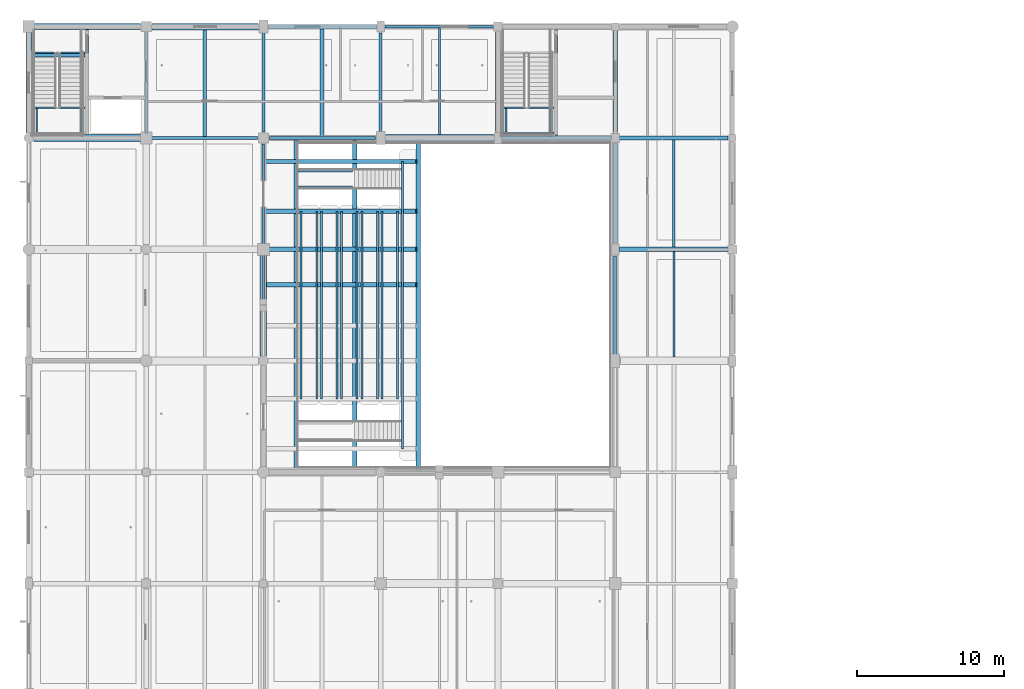
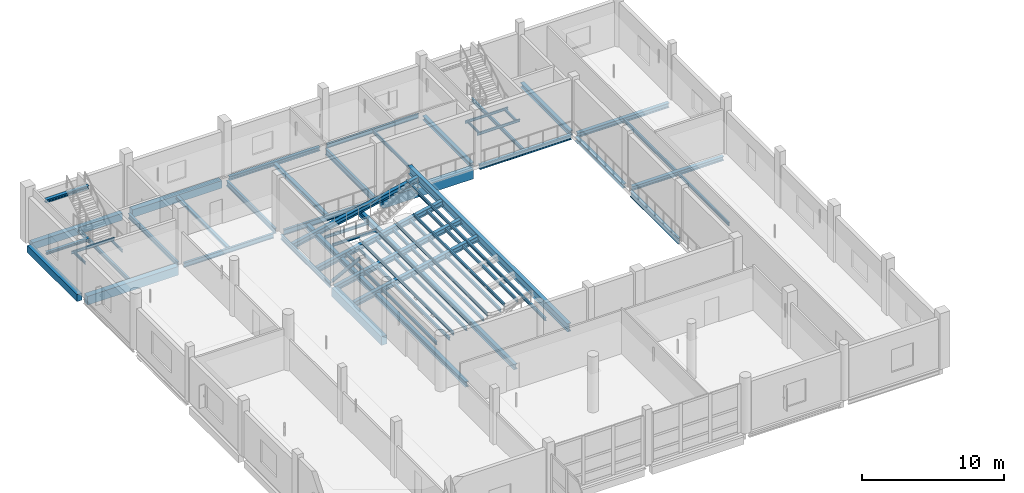
# One storey, part 36 of 147: 57 beams, 1 member.
"""IFC4 building model written with IfcOpenShell, lengths in metres."""

from ifc_helpers import new_model, si_unit, direction, frame, origin, origin_2d, place, context, subcontext, project, spatial, rectangle, hollow_rectangle, i_section, extrude, material, material_profile, profile_set, type_object, element, save


model = new_model("IFC4")

# Units and contexts
model_context = context("Model", 3, precision=1e-05, world=origin(), true_north=direction((0.0, 1.0)))
body_context = subcontext(model_context, "Body", "Model", "MODEL_VIEW")
ifc_project = project(units=[si_unit("LENGTHUNIT", "METRE"), si_unit("AREAUNIT", "SQUARE_METRE"), si_unit("VOLUMEUNIT", "CUBIC_METRE"), si_unit("PLANEANGLEUNIT", "RADIAN"), si_unit("MASSUNIT", "GRAM", prefix="KILO")], contexts=[model_context])

# Site, building, storey
site_placement = place(None, origin())
site = spatial("IfcSite", under=ifc_project, at=site_placement, CompositionType="ELEMENT")
building_placement = place(site_placement, origin())
building = spatial("IfcBuilding", under=site, at=building_placement, Name="Khelvaren Railside Concert Hall", CompositionType="ELEMENT")
storey_placement = place(building_placement, frame((0.0, 0.0, 5.39990234375)))
storey = spatial("IfcBuildingStorey", under=building, at=storey_placement, Name="L01", CompositionType="ELEMENT", Elevation=5.39990234375)

# Beams
ifc_material_1 = material(Name="Steel S355", Category="steel")
ifc_material_profile_1 = material_profile(ifc_material_1, i_section(OverallWidth=0.300048828125, OverallDepth=0.389892578125, WebThickness=0.010986328125, FlangeThickness=0.01904296875, FilletRadius=0.027099609375, at=origin_2d()), Name="HEA 400")
ifc_profile_set_1 = profile_set([ifc_material_profile_1], Name="Steel S355")
beam_type_1 = type_object("IfcBeamType", Name="BM23", PredefinedType="BEAM", material=ifc_profile_set_1)
beam_1_placement = place(storey_placement, frame((40.25, 106.39990234375, -0.494873046875), z_axis=(1.0, 0.0, 0.0), x_axis=(0.0, 1.0, 0.0)))
element("IfcBeam", 1, at=beam_1_placement, inside=storey, type_object=beam_type_1, Name="V4 L01 Beam X6.6", PredefinedType="BEAM", context=body_context, shape_type="SweptSolid", body=[
    extrude(i_section(OverallWidth=0.300048828125, OverallDepth=0.389892578125, WebThickness=0.010986328125, FlangeThickness=0.01904296875, FilletRadius=0.027099609375, at=origin_2d()), origin(), (0.0, 0.0, 1.0), 7.449951171875),
])
beam_2_placement = place(storey_placement, frame((40.0, 106.77490234375, -0.494873046875), z_axis=(0.0, 1.0, 0.0), x_axis=(-1.0, 0.0, 0.0)))
element("IfcBeam", 2, at=beam_2_placement, inside=storey, type_object=beam_type_1, Name="V4 L01 Beam Y6.6", PredefinedType="BEAM", context=body_context, shape_type="SweptSolid", body=[
    extrude(i_section(OverallWidth=0.300048828125, OverallDepth=0.389892578125, WebThickness=0.010986328125, FlangeThickness=0.01904296875, FilletRadius=0.027099609375, at=origin_2d()), origin(), (0.0, 0.0, 1.0), 6.925048828125),
])
ifc_material_profile_2 = material_profile(ifc_material_1, i_section(OverallWidth=0.179931640625, OverallDepth=0.39990234375, WebThickness=0.008544921875, FlangeThickness=0.013427734375, FilletRadius=0.02099609375, at=origin_2d()), Name="IPE 400")
ifc_profile_set_2 = profile_set([ifc_material_profile_2], Name="Steel S355")
beam_type_2 = type_object("IfcBeamType", Name="BM29", PredefinedType="BEAM", material=ifc_profile_set_2)
beam_3_placement = place(storey_placement, frame((8.27294921875, 106.39990234375, -0.5), z_axis=(1.0, 0.0, 0.0), x_axis=(0.0, 1.0, 0.0)))
element("IfcBeam", 3, at=beam_3_placement, inside=storey, type_object=beam_type_2, Name="V4 L01 Beam X6.2", PredefinedType="BEAM", context=body_context, shape_type="SweptSolid", body=[
    extrude(i_section(OverallWidth=0.179931640625, OverallDepth=0.39990234375, WebThickness=0.008544921875, FlangeThickness=0.013427734375, FilletRadius=0.02099609375, at=origin_2d()), origin(), (0.0, 0.0, 1.0), 7.3271484375),
])
for number, where, z_axis, x_axis, name in (
    (4, (8.0, 106.673095703125, -0.5), (0.0, 1.0, 0.0), (-1.0, 0.0, 0.0), "V4 L01 Beam Y2.6"),
    (5, (16.0, 99.072998046875, -0.5), (0.0, 1.0, 0.0), (-1.0, 0.0, 0.0), "V4 L01 Beam Y3.5"),
):
    element("IfcBeam", number, at=place(storey_placement, frame(where, z_axis=z_axis, x_axis=x_axis)), inside=storey, type_object=beam_type_2, Name=name, PredefinedType="BEAM", context=body_context, shape_type="SweptSolid", body=[
        extrude(i_section(OverallWidth=0.179931640625, OverallDepth=0.39990234375, WebThickness=0.008544921875, FlangeThickness=0.013427734375, FilletRadius=0.02099609375, at=origin_2d()), origin(), (0.0, 0.0, 1.0), 6.927001953125),
    ])
ifc_material_profile_3 = material_profile(ifc_material_1, i_section(OverallWidth=0.1201171875, OverallDepth=0.239990234375, WebThickness=0.006103515625, FlangeThickness=0.009765625, FilletRadius=0.014892578125, at=origin_2d()), Name="IPE 240")
ifc_profile_set_3 = profile_set([ifc_material_profile_3], Name="Steel S355")
beam_type_3 = type_object("IfcBeamType", Name="BM30", PredefinedType="BEAM", material=ifc_profile_set_3)
for number, where, z_axis, x_axis, name in (
    (6, (18.409912109375, 103.050048828125, -0.31982421875), (1.0, 0.0, 0.0), (0.0, 1.0, 0.0), "Vomitory Landing Stringer ST-26-S"),
    (7, (18.409912109375, 104.14990234375, -0.31982421875), (1.0, 0.0, 0.0), (0.0, 1.0, 0.0), "Vomitory Landing Stringer ST-26-N"),
):
    element("IfcBeam", number, at=place(storey_placement, frame(where, z_axis=z_axis, x_axis=x_axis)), inside=storey, type_object=beam_type_3, Name=name, PredefinedType="BEAM", context=body_context, shape_type="SweptSolid", body=[
        extrude(i_section(OverallWidth=0.1201171875, OverallDepth=0.239990234375, WebThickness=0.006103515625, FlangeThickness=0.009765625, FilletRadius=0.014892578125, at=origin_2d()), origin(), (0.0, 0.0, 1.0), 3.66015625),
    ])
ifc_material_profile_4 = material_profile(ifc_material_1, i_section(OverallWidth=0.239990234375, OverallDepth=0.22998046875, WebThickness=0.007568359375, FlangeThickness=0.011962890625, FilletRadius=0.02099609375, at=origin_2d()), Name="HEA 240")
ifc_profile_set_4 = profile_set([ifc_material_profile_4], Name="Steel S355")
beam_type_4 = type_object("IfcBeamType", Name="BM42", PredefinedType="BEAM", material=ifc_profile_set_4)
beam_4_placement = place(storey_placement, frame((0.344970703125, 112.039306640625, -0.114990234375), z_axis=(1.0, 0.0, 0.0), x_axis=(0.0, 1.0, 0.0)))
element("IfcBeam", 8, at=beam_4_placement, inside=storey, type_object=beam_type_4, Name="ST-07 L01 Stair Foot Trimmer Beam", PredefinedType="BEAM", context=body_context, shape_type="SweptSolid", body=[
    extrude(i_section(OverallWidth=0.239990234375, OverallDepth=0.22998046875, WebThickness=0.007568359375, FlangeThickness=0.011962890625, FilletRadius=0.02099609375, at=origin_2d()), origin(), (0.0, 0.0, 1.0), 3.4951171875),
])
ifc_material_profile_5 = material_profile(ifc_material_1, i_section(OverallWidth=0.199951171875, OverallDepth=0.5, WebThickness=0.01025390625, FlangeThickness=0.01611328125, FilletRadius=0.02099609375, at=origin_2d()), Name="IPE 500")
ifc_profile_set_5 = profile_set([ifc_material_profile_5], Name="Steel S355")
beam_type_5 = type_object("IfcBeamType", Name="BM62", PredefinedType="BEAM", material=ifc_profile_set_5)
for number, where, z_axis, x_axis, name in (
    (9, (24.0, 106.75, -0.5498046875), (0.0, 1.0, 0.0), (-1.0, 0.0, 0.0), "V4 L01 Beam Y4.6"),
    (10, (40.0, 91.550048828125, -0.5498046875), (0.0, 1.0, 0.0), (-1.0, 0.0, 0.0), "V4 L01 Beam Y6.4"),
):
    element("IfcBeam", number, at=place(storey_placement, frame(where, z_axis=z_axis, x_axis=x_axis)), inside=storey, type_object=beam_type_5, Name=name, PredefinedType="BEAM", context=body_context, shape_type="SweptSolid", body=[
        extrude(i_section(OverallWidth=0.199951171875, OverallDepth=0.5, WebThickness=0.01025390625, FlangeThickness=0.01611328125, FilletRadius=0.02099609375, at=origin_2d()), origin(), (0.0, 0.0, 1.0), 6.800048828125),
    ])
ifc_material_profile_6 = material_profile(ifc_material_1, i_section(OverallWidth=0.300048828125, OverallDepth=0.35009765625, WebThickness=0.010009765625, FlangeThickness=0.017578125, FilletRadius=0.027099609375, at=origin_2d()), Name="HEA 360")
ifc_profile_set_6 = profile_set([ifc_material_profile_6], Name="Steel S355")
beam_type_6 = type_object("IfcBeamType", Name="BM73", PredefinedType="BEAM", material=ifc_profile_set_6)
for number, where, z_axis, x_axis, name in (
    (11, (40.300048828125, 98.800048828125, -0.474853515625), (1.0, 0.0, 0.0), (0.0, 1.0, 0.0), "V4 L01 Beam X5.6"),
    (12, (32.300048828125, 106.39990234375, -0.474853515625), (1.0, 0.0, 0.0), (0.0, 1.0, 0.0), "V4 L01 Beam X6.5"),
):
    element("IfcBeam", number, at=place(storey_placement, frame(where, z_axis=z_axis, x_axis=x_axis)), inside=storey, type_object=beam_type_6, Name=name, PredefinedType="BEAM", context=body_context, shape_type="SweptSolid", body=[
        extrude(i_section(OverallWidth=0.300048828125, OverallDepth=0.35009765625, WebThickness=0.010009765625, FlangeThickness=0.017578125, FilletRadius=0.027099609375, at=origin_2d()), origin(), (0.0, 0.0, 1.0), 7.449951171875),
    ])
for number, where, z_axis, x_axis, name in (
    (13, (32.0, 106.85009765625, -0.474853515625), (0.0, 1.0, 0.0), (-1.0, 0.0, 0.0), "V4 L01 Beam Y5.6"),
    (14, (40.0, 99.25, -0.474853515625), (0.0, 1.0, 0.0), (-1.0, 0.0, 0.0), "V4 L01 Beam Y6.5"),
):
    element("IfcBeam", number, at=place(storey_placement, frame(where, z_axis=z_axis, x_axis=x_axis)), inside=storey, type_object=beam_type_6, Name=name, PredefinedType="BEAM", context=body_context, shape_type="SweptSolid", body=[
        extrude(i_section(OverallWidth=0.300048828125, OverallDepth=0.35009765625, WebThickness=0.010009765625, FlangeThickness=0.017578125, FilletRadius=0.027099609375, at=origin_2d()), origin(), (0.0, 0.0, 1.0), 6.77490234375),
    ])
ifc_material_2 = material(Name="Concrete C40/50", Category="concrete")
ifc_material_profile_7 = material_profile(ifc_material_2, rectangle(XDim=0.449951171875, YDim=0.75, at=origin_2d()), Name="RCB 450x750")
ifc_profile_set_7 = profile_set([ifc_material_profile_7], Name="Concrete C40/50")
beam_type_7 = type_object("IfcBeamType", Name="BM83", PredefinedType="BEAM", material=ifc_profile_set_7)
beam_5_placement = place(storey_placement, frame((0.3359375, 106.39990234375, -0.6748046875), z_axis=(1.0, 0.0, 0.0), x_axis=(0.0, 1.0, 0.0)))
element("IfcBeam", 15, at=beam_5_placement, inside=storey, type_object=beam_type_7, Name="V4 L01 Beam X6.1", PredefinedType="BEAM", context=body_context, shape_type="SweptSolid", body=[
    extrude(rectangle(XDim=0.449951171875, YDim=0.75, at=origin_2d()), origin(), (0.0, 0.0, 1.0), 7.39111328125),
])
beam_6_placement = place(storey_placement, frame((16.0, 91.535888671875, -0.6748046875), z_axis=(0.0, 1.0, 0.0), x_axis=(-1.0, 0.0, 0.0)))
element("IfcBeam", 16, at=beam_6_placement, inside=storey, type_object=beam_type_7, Name="V4 L01 Beam Y3.4", PredefinedType="BEAM", context=body_context, shape_type="SweptSolid", body=[
    extrude(rectangle(XDim=0.449951171875, YDim=0.75, at=origin_2d()), origin(), (0.0, 0.0, 1.0), 6.9912109375),
])
ifc_material_profile_8 = material_profile(ifc_material_1, i_section(OverallWidth=0.110107421875, OverallDepth=0.219970703125, WebThickness=0.005859375, FlangeThickness=0.00927734375, FilletRadius=0.011962890625, at=origin_2d()), Name="IPE 220")
ifc_profile_set_8 = profile_set([ifc_material_profile_8], Name="Steel S355")
beam_type_8 = type_object("IfcBeamType", Name="BM87", PredefinedType="BEAM", material=ifc_profile_set_8)
beam_7_placement = place(storey_placement, frame((0.344970703125, 108.455078125, 2.090087890625), z_axis=(1.0, 0.0, 0.0), x_axis=(0.0, 1.0, 0.0)))
element("IfcBeam", 17, at=beam_7_placement, inside=storey, type_object=beam_type_8, Name="ST-07 L01 Half-Landing Front Beam", PredefinedType="BEAM", context=body_context, shape_type="SweptSolid", body=[
    extrude(i_section(OverallWidth=0.110107421875, OverallDepth=0.219970703125, WebThickness=0.005859375, FlangeThickness=0.00927734375, FilletRadius=0.011962890625, at=origin_2d()), origin(), (0.0, 0.0, 1.0), 3.4951171875),
])
for number, where, z_axis, x_axis, name in (
    (18, (0.550048828125, 106.81494140625, 2.090087890625), (0.0, 1.0, 0.0), (-1.0, 0.0, 0.0), "ST-07 L01 Half-Landing Side Tie W"),
    (19, (3.550048828125, 106.81494140625, 2.090087890625), (0.0, 1.0, 0.0), (-1.0, 0.0, 0.0), "ST-07 L01 Half-Landing Side Tie E"),
):
    element("IfcBeam", number, at=place(storey_placement, frame(where, z_axis=z_axis, x_axis=x_axis)), inside=storey, type_object=beam_type_8, Name=name, PredefinedType="BEAM", context=body_context, shape_type="SweptSolid", body=[
        extrude(i_section(OverallWidth=0.110107421875, OverallDepth=0.219970703125, WebThickness=0.005859375, FlangeThickness=0.00927734375, FilletRadius=0.011962890625, at=origin_2d()), origin(), (0.0, 0.0, 1.0), 1.5849609375),
    ])
for number, where, z_axis, x_axis, name in (
    (20, (32.344970703125, 108.455078125, 2.090087890625), (1.0, 0.0, 0.0), (0.0, 1.0, 0.0), "ST-08 L01 Half-Landing Front Beam"),
    (21, (32.344970703125, 106.760009765625, 2.090087890625), (1.0, 0.0, 0.0), (0.0, 1.0, 0.0), "ST-08 L01 Half-Landing Rear Beam"),
):
    element("IfcBeam", number, at=place(storey_placement, frame(where, z_axis=z_axis, x_axis=x_axis)), inside=storey, type_object=beam_type_8, Name=name, PredefinedType="BEAM", context=body_context, shape_type="SweptSolid", body=[
        extrude(i_section(OverallWidth=0.110107421875, OverallDepth=0.219970703125, WebThickness=0.005859375, FlangeThickness=0.00927734375, FilletRadius=0.011962890625, at=origin_2d()), origin(), (0.0, 0.0, 1.0), 3.4951171875),
    ])
for number, where, z_axis, x_axis, name in (
    (22, (32.550048828125, 106.81494140625, 2.090087890625), (0.0, 1.0, 0.0), (-1.0, 0.0, 0.0), "ST-08 L01 Half-Landing Side Tie W"),
    (23, (35.550048828125, 106.81494140625, 2.090087890625), (0.0, 1.0, 0.0), (-1.0, 0.0, 0.0), "ST-08 L01 Half-Landing Side Tie E"),
):
    element("IfcBeam", number, at=place(storey_placement, frame(where, z_axis=z_axis, x_axis=x_axis)), inside=storey, type_object=beam_type_8, Name=name, PredefinedType="BEAM", context=body_context, shape_type="SweptSolid", body=[
        extrude(i_section(OverallWidth=0.110107421875, OverallDepth=0.219970703125, WebThickness=0.005859375, FlangeThickness=0.00927734375, FilletRadius=0.011962890625, at=origin_2d()), origin(), (0.0, 0.0, 1.0), 1.5849609375),
    ])
ifc_material_profile_9 = material_profile(ifc_material_1, i_section(OverallWidth=0.280029296875, OverallDepth=0.27001953125, WebThickness=0.008056640625, FlangeThickness=0.012939453125, FilletRadius=0.02392578125, at=origin_2d()), Name="HEA 280")
ifc_profile_set_9 = profile_set([ifc_material_profile_9], Name="Steel S355")
beam_type_9 = type_object("IfcBeamType", Name="BM93", PredefinedType="BEAM", material=ifc_profile_set_9)
beam_8_placement = place(storey_placement, frame((0.344970703125, 112.139892578125, 4.31787109375), z_axis=(1.0, 0.0, 0.0), x_axis=(0.0, 1.0, 0.0)))
element("IfcBeam", 24, at=beam_8_placement, inside=storey, type_object=beam_type_9, Name="ST-07 L01 Stair Top Arrival Trimmer Beam", PredefinedType="BEAM", context=body_context, shape_type="SweptSolid", body=[
    extrude(i_section(OverallWidth=0.280029296875, OverallDepth=0.27001953125, WebThickness=0.008056640625, FlangeThickness=0.012939453125, FilletRadius=0.02392578125, at=origin_2d()), origin(), (0.0, 0.0, 1.0), 3.4951171875),
])
ifc_material_profile_10 = material_profile(ifc_material_1, i_section(OverallWidth=0.18994140625, OverallDepth=0.449951171875, WebThickness=0.009521484375, FlangeThickness=0.0146484375, FilletRadius=0.02099609375, at=origin_2d()), Name="IPE 450")
ifc_profile_set_10 = profile_set([ifc_material_profile_10], Name="Steel S355")
beam_type_10 = type_object("IfcBeamType", Name="BM95", PredefinedType="BEAM", material=ifc_profile_set_10)
beam_9_placement = place(storey_placement, frame((16.39990234375, 106.39990234375, -0.52490234375), z_axis=(1.0, 0.0, 0.0), x_axis=(0.0, 1.0, 0.0)))
element("IfcBeam", 25, at=beam_9_placement, inside=storey, type_object=beam_type_10, Name="V4 L01 Beam X6.3", PredefinedType="BEAM", context=body_context, shape_type="SweptSolid", body=[
    extrude(i_section(OverallWidth=0.18994140625, OverallDepth=0.449951171875, WebThickness=0.009521484375, FlangeThickness=0.0146484375, FilletRadius=0.02099609375, at=origin_2d()), origin(), (0.0, 0.0, 1.0), 7.25),
])
beam_10_placement = place(storey_placement, frame((16.0, 106.800048828125, -0.52490234375), z_axis=(0.0, 1.0, 0.0), x_axis=(-1.0, 0.0, 0.0)))
element("IfcBeam", 26, at=beam_10_placement, inside=storey, type_object=beam_type_10, Name="V4 L01 Beam Y3.6", PredefinedType="BEAM", context=body_context, shape_type="SweptSolid", body=[
    extrude(i_section(OverallWidth=0.18994140625, OverallDepth=0.449951171875, WebThickness=0.009521484375, FlangeThickness=0.0146484375, FilletRadius=0.02099609375, at=origin_2d()), origin(), (0.0, 0.0, 1.0), 6.849853515625),
])

# Member
ifc_material_profile_11 = material_profile(ifc_material_1, hollow_rectangle(XDim=0.14990234375, YDim=0.25, WallThickness=0.012451171875, InnerFilletRadius=0.012451171875, OuterFilletRadius=0.01904296875, at=origin_2d()), Name="RHS 250x150x12.5")
ifc_profile_set_11 = profile_set([ifc_material_profile_11], Name="Steel S355")
member_type = type_object("IfcMemberType", Name="BR52", PredefinedType="BRACE", material=ifc_profile_set_11)
member_placement = place(storey_placement, frame((16.0, 98.800048828125, 0.050048828125), z_axis=(0.0, -0.670043795983, 0.742321568772), x_axis=(1.0, 0.0, 0.0)))
element("IfcMember", 27, at=member_placement, inside=storey, type_object=member_type, Name="V4 L01 Seismic Chevron Brace 44", PredefinedType="BRACE", context=body_context, shape_type="SweptSolid", body=[
    extrude(hollow_rectangle(XDim=0.14990234375, YDim=0.25, WallThickness=0.012451171875, InnerFilletRadius=0.012451171875, OuterFilletRadius=0.01904296875, at=origin_2d()), origin(), (0.0, 0.0, 1.0), 5.67138671875),
])

# Beams
ifc_material_profile_12 = material_profile(ifc_material_1, i_section(OverallWidth=0.300048828125, OverallDepth=0.449951171875, WebThickness=0.013916015625, FlangeThickness=0.02587890625, FilletRadius=0.027099609375, at=origin_2d()), Name="HEB 450")
ifc_profile_set_12 = profile_set([ifc_material_profile_12], Name="Steel S355")
beam_type_11 = type_object("IfcBeamType", Name="GR52", PredefinedType="T_BEAM", material=ifc_profile_set_12)
for number, where, z_axis, x_axis, name in (
    (28, (22.219970703125, 83.77490234375, -0.4248046875), (0.0, 1.0, 0.0), (-1.0, 0.0, 0.0), "V4-L01 Vomitory Gallery Header Girder"),
    (29, (18.25, 83.77490234375, -0.52490234375), (0.0, 1.0, 0.0), (-1.0, 0.0, 0.0), "V4-L01 Bowl Edge Trimmer Girder"),
):
    element("IfcBeam", number, at=place(storey_placement, frame(where, z_axis=z_axis, x_axis=x_axis)), inside=storey, type_object=beam_type_11, Name=name, PredefinedType="T_BEAM", context=body_context, shape_type="SweptSolid", body=[
        extrude(i_section(OverallWidth=0.300048828125, OverallDepth=0.449951171875, WebThickness=0.013916015625, FlangeThickness=0.02587890625, FilletRadius=0.027099609375, at=origin_2d()), origin(), (0.0, 0.0, 1.0), 22.4501953125),
    ])
ifc_material_profile_13 = material_profile(ifc_material_1, i_section(OverallWidth=0.300048828125, OverallDepth=0.699951171875, WebThickness=0.01708984375, FlangeThickness=0.031982421875, FilletRadius=0.027099609375, at=origin_2d()), Name="HEB 700")
ifc_profile_set_13 = profile_set([ifc_material_profile_13], Name="Steel S355")
beam_type_12 = type_object("IfcBeamType", Name="GR85", PredefinedType="T_BEAM", material=ifc_profile_set_13)
beam_11_placement = place(storey_placement, frame((26.570068359375, 83.77001953125, 1.440185546875), z_axis=(0.0, 1.0, 0.0), x_axis=(-1.0, 0.0, 0.0)))
element("IfcBeam", 30, at=beam_11_placement, inside=storey, type_object=beam_type_12, Name="V4-L01 Balcony Raker Support Girder", PredefinedType="T_BEAM", context=body_context, shape_type="SweptSolid", body=[
    extrude(i_section(OverallWidth=0.300048828125, OverallDepth=0.699951171875, WebThickness=0.01708984375, FlangeThickness=0.031982421875, FilletRadius=0.027099609375, at=origin_2d()), origin(), (0.0, 0.0, 1.0), 22.4599609375),
])
ifc_material_profile_14 = material_profile(ifc_material_2, rectangle(XDim=0.5, YDim=0.85009765625, at=origin_2d()), Name="RCB 500x850")
ifc_profile_set_14 = profile_set([ifc_material_profile_14], Name="Concrete C40/50")
beam_type_13 = type_object("IfcBeamType", Name="GR96", PredefinedType="T_BEAM", material=ifc_profile_set_14)
beam_12_placement = place(storey_placement, frame((24.35009765625, 106.39990234375, -0.724853515625), z_axis=(1.0, 0.0, 0.0), x_axis=(0.0, 1.0, 0.0)))
element("IfcBeam", 31, at=beam_12_placement, inside=storey, type_object=beam_type_13, Name="V4 L01 T_Beam X6.4", PredefinedType="T_BEAM", context=body_context, shape_type="SweptSolid", body=[
    extrude(rectangle(XDim=0.5, YDim=0.85009765625, at=origin_2d()), origin(), (0.0, 0.0, 1.0), 7.349853515625),
])
ifc_material_profile_15 = material_profile(ifc_material_1, i_section(OverallWidth=0.14990234375, OverallDepth=0.300048828125, WebThickness=0.007080078125, FlangeThickness=0.0107421875, FilletRadius=0.014892578125, at=origin_2d()), Name="IPE 300")
ifc_profile_set_15 = profile_set([ifc_material_profile_15], Name="Steel S355")
beam_type_14 = type_object("IfcBeamType", Name="JS26", PredefinedType="JOIST", material=ifc_profile_set_15)
beam_13_placement = place(storey_placement, frame((36.0, 106.550048828125, -0.449951171875), z_axis=(0.0, 1.0, 0.0), x_axis=(-1.0, 0.0, 0.0)))
element("IfcBeam", 32, at=beam_13_placement, inside=storey, type_object=beam_type_14, Name="V4 L01 Secondary Joist 5.6", PredefinedType="JOIST", context=body_context, shape_type="SweptSolid", body=[
    extrude(i_section(OverallWidth=0.14990234375, OverallDepth=0.300048828125, WebThickness=0.007080078125, FlangeThickness=0.0107421875, FilletRadius=0.014892578125, at=origin_2d()), origin(), (0.0, 0.0, 1.0), 7.25),
])
beam_14_placement = place(storey_placement, frame((44.0, 98.949951171875, -0.449951171875), z_axis=(0.0, 1.0, 0.0), x_axis=(-1.0, 0.0, 0.0)))
element("IfcBeam", 33, at=beam_14_placement, inside=storey, type_object=beam_type_14, Name="V4 L01 Secondary Joist 6.5", PredefinedType="JOIST", context=body_context, shape_type="SweptSolid", body=[
    extrude(i_section(OverallWidth=0.14990234375, OverallDepth=0.300048828125, WebThickness=0.007080078125, FlangeThickness=0.0107421875, FilletRadius=0.014892578125, at=origin_2d()), origin(), (0.0, 0.0, 1.0), 7.300048828125),
])
ifc_material_profile_16 = material_profile(ifc_material_1, i_section(OverallWidth=0.280029296875, OverallDepth=0.27001953125, WebThickness=0.008056640625, FlangeThickness=0.012939453125, FilletRadius=0.02392578125, at=origin_2d()), Name="HEA 280")
ifc_profile_set_16 = profile_set([ifc_material_profile_16], Name="Steel S355")
beam_type_15 = type_object("IfcBeamType", Name="JS46", PredefinedType="JOIST", material=ifc_profile_set_16)
beam_15_placement = place(storey_placement, frame((20.0, 106.4951171875, -0.434814453125), z_axis=(0.0, 1.0, 0.0), x_axis=(-1.0, 0.0, 0.0)))
element("IfcBeam", 34, at=beam_15_placement, inside=storey, type_object=beam_type_15, Name="V4 L01 Secondary Joist 3.6", PredefinedType="JOIST", context=body_context, shape_type="SweptSolid", body=[
    extrude(i_section(OverallWidth=0.280029296875, OverallDepth=0.27001953125, WebThickness=0.008056640625, FlangeThickness=0.012939453125, FilletRadius=0.02392578125, at=origin_2d()), origin(), (0.0, 0.0, 1.0), 7.35498046875),
])
ifc_material_profile_17 = material_profile(ifc_material_1, i_section(OverallWidth=0.159912109375, OverallDepth=0.330078125, WebThickness=0.007568359375, FlangeThickness=0.011474609375, FilletRadius=0.01806640625, at=origin_2d()), Name="IPE 330")
ifc_profile_set_17 = profile_set([ifc_material_profile_17], Name="Steel S355")
beam_type_16 = type_object("IfcBeamType", Name="JS65", PredefinedType="JOIST", material=ifc_profile_set_17)
beam_16_placement = place(storey_placement, frame((4.0, 106.625, -0.46484375), z_axis=(0.0, 1.0, 0.0), x_axis=(-1.0, 0.0, 0.0)))
element("IfcBeam", 35, at=beam_16_placement, inside=storey, type_object=beam_type_16, Name="V4 L01 Secondary Joist 1.6", PredefinedType="JOIST", context=body_context, shape_type="SweptSolid", body=[
    extrude(i_section(OverallWidth=0.159912109375, OverallDepth=0.330078125, WebThickness=0.007568359375, FlangeThickness=0.011474609375, FilletRadius=0.01806640625, at=origin_2d()), origin(), (0.0, 0.0, 1.0), 7.175048828125),
])
ifc_material_profile_18 = material_profile(ifc_material_1, i_section(OverallWidth=0.239990234375, OverallDepth=0.22998046875, WebThickness=0.007568359375, FlangeThickness=0.011962890625, FilletRadius=0.02099609375, at=origin_2d()), Name="HEA 240")
ifc_profile_set_18 = profile_set([ifc_material_profile_18], Name="Steel S355")
beam_type_17 = type_object("IfcBeamType", Name="JS76", PredefinedType="JOIST", material=ifc_profile_set_18)
beam_17_placement = place(storey_placement, frame((12.0, 106.489990234375, -0.414794921875), z_axis=(0.0, 1.0, 0.0), x_axis=(-1.0, 0.0, 0.0)))
element("IfcBeam", 36, at=beam_17_placement, inside=storey, type_object=beam_type_17, Name="V4 L01 Secondary Joist 2.6", PredefinedType="JOIST", context=body_context, shape_type="SweptSolid", body=[
    extrude(i_section(OverallWidth=0.239990234375, OverallDepth=0.22998046875, WebThickness=0.007568359375, FlangeThickness=0.011962890625, FilletRadius=0.02099609375, at=origin_2d()), origin(), (0.0, 0.0, 1.0), 7.284912109375),
])
ifc_material_profile_19 = material_profile(ifc_material_1, i_section(OverallWidth=0.135009765625, OverallDepth=0.27001953125, WebThickness=0.006591796875, FlangeThickness=0.01025390625, FilletRadius=0.014892578125, at=origin_2d()), Name="IPE 270")
ifc_profile_set_19 = profile_set([ifc_material_profile_19], Name="Steel S355")
beam_type_18 = type_object("IfcBeamType", Name="JS78", PredefinedType="JOIST", material=ifc_profile_set_19)
beam_18_placement = place(storey_placement, frame((28.0, 106.64990234375, -0.434814453125), z_axis=(0.0, 1.0, 0.0), x_axis=(-1.0, 0.0, 0.0)))
element("IfcBeam", 37, at=beam_18_placement, inside=storey, type_object=beam_type_18, Name="V4 L01 Secondary Joist 4.6", PredefinedType="JOIST", context=body_context, shape_type="SweptSolid", body=[
    extrude(i_section(OverallWidth=0.135009765625, OverallDepth=0.27001953125, WebThickness=0.006591796875, FlangeThickness=0.01025390625, FilletRadius=0.014892578125, at=origin_2d()), origin(), (0.0, 0.0, 1.0), 7.26513671875),
])
beam_19_placement = place(storey_placement, frame((44.0, 91.449951171875, -0.434814453125), z_axis=(0.0, 1.0, 0.0), x_axis=(-1.0, 0.0, 0.0)))
element("IfcBeam", 38, at=beam_19_placement, inside=storey, type_object=beam_type_18, Name="V4 L01 Secondary Joist 6.4", PredefinedType="JOIST", context=body_context, shape_type="SweptSolid", body=[
    extrude(i_section(OverallWidth=0.135009765625, OverallDepth=0.27001953125, WebThickness=0.006591796875, FlangeThickness=0.01025390625, FilletRadius=0.014892578125, at=origin_2d()), origin(), (0.0, 0.0, 1.0), 7.199951171875),
])
for number, where, z_axis, x_axis, name in (
    (39, (18.580078125, 88.60009765625, -0.044921875), (0.0, 1.0, 0.0), (-1.0, 0.0, 0.0), "V4-L01 Seating Tier Step Joist 1B"),
    (40, (19.639892578125, 88.60009765625, -0.044921875), (0.0, 1.0, 0.0), (-1.0, 0.0, 0.0), "V4-L01 Seating Tier Step Joist 1F"),
    (41, (19.9599609375, 88.60009765625, 0.295166015625), (0.0, 1.0, 0.0), (-1.0, 0.0, 0.0), "V4-L01 Seating Tier Step Joist 2B"),
    (42, (21.02001953125, 88.60009765625, 0.295166015625), (0.0, 1.0, 0.0), (-1.0, 0.0, 0.0), "V4-L01 Seating Tier Step Joist 2F"),
    (43, (21.340087890625, 88.60009765625, 0.635009765625), (0.0, 1.0, 0.0), (-1.0, 0.0, 0.0), "V4-L01 Seating Tier Step Joist 3B"),
    (44, (22.39990234375, 88.60009765625, 0.635009765625), (0.0, 1.0, 0.0), (-1.0, 0.0, 0.0), "V4-L01 Seating Tier Step Joist 3F"),
    (45, (22.719970703125, 88.60009765625, 0.97509765625), (0.0, 1.0, 0.0), (-1.0, 0.0, 0.0), "V4-L01 Seating Tier Step Joist 4B"),
    (46, (23.780029296875, 88.60009765625, 0.97509765625), (0.0, 1.0, 0.0), (-1.0, 0.0, 0.0), "V4-L01 Seating Tier Step Joist 4F"),
    (47, (24.10009765625, 88.60009765625, 1.315185546875), (0.0, 1.0, 0.0), (-1.0, 0.0, 0.0), "V4-L01 Seating Tier Step Joist 5B"),
    (48, (25.159912109375, 88.60009765625, 1.315185546875), (0.0, 1.0, 0.0), (-1.0, 0.0, 0.0), "V4-L01 Seating Tier Step Joist 5F"),
):
    element("IfcBeam", number, at=place(storey_placement, frame(where, z_axis=z_axis, x_axis=x_axis)), inside=storey, type_object=beam_type_18, Name=name, PredefinedType="JOIST", context=body_context, shape_type="SweptSolid", body=[
        extrude(i_section(OverallWidth=0.135009765625, OverallDepth=0.27001953125, WebThickness=0.006591796875, FlangeThickness=0.01025390625, FilletRadius=0.014892578125, at=origin_2d()), origin(), (0.0, 0.0, 1.0), 12.7998046875),
    ])
beam_20_placement = place(storey_placement, frame((25.47998046875, 85.199951171875, 1.655029296875), z_axis=(0.0, 1.0, 0.0), x_axis=(-1.0, 0.0, 0.0)))
element("IfcBeam", 49, at=beam_20_placement, inside=storey, type_object=beam_type_18, Name="V4-L01 Seating Tier Step Joist 6B", PredefinedType="JOIST", context=body_context, shape_type="SweptSolid", body=[
    extrude(i_section(OverallWidth=0.135009765625, OverallDepth=0.27001953125, WebThickness=0.006591796875, FlangeThickness=0.01025390625, FilletRadius=0.014892578125, at=origin_2d()), origin(), (0.0, 0.0, 1.0), 19.60009765625),
])
ifc_material_profile_20 = material_profile(ifc_material_1, i_section(OverallWidth=0.300048828125, OverallDepth=0.449951171875, WebThickness=0.013916015625, FlangeThickness=0.02587890625, FilletRadius=0.027099609375, at=origin_2d()), Name="HEB 450")
ifc_profile_set_20 = profile_set([ifc_material_profile_20], Name="Steel S355")
beam_type_19 = type_object("IfcBeamType", Name="RK43", PredefinedType="USERDEFINED", material=ifc_profile_set_20)
for number, where, z_axis, x_axis, name in (
    (50, (16.169921875, 96.39990234375, -0.63818359375), (0.977766955308, 0.0, 0.209694494702), (0.0, 1.0, 0.0), "V4-L01 Balcony Raker Beam 5"),
    (51, (16.169921875, 101.39990234375, -0.63818359375), (0.977766955308, 0.0, 0.209694494702), (0.0, 1.0, 0.0), "V4-L01 Balcony Raker Beam 7"),
):
    element("IfcBeam", number, at=place(storey_placement, frame(where, z_axis=z_axis, x_axis=x_axis)), inside=storey, type_object=beam_type_19, Name=name, ObjectType="RAKER", PredefinedType="USERDEFINED", context=body_context, shape_type="SweptSolid", body=[
        extrude(i_section(OverallWidth=0.300048828125, OverallDepth=0.449951171875, WebThickness=0.013916015625, FlangeThickness=0.02587890625, FilletRadius=0.027099609375, at=origin_2d()), origin(), (0.0, 0.0, 1.0), 10.483154296875),
    ])
ifc_material_profile_21 = material_profile(ifc_material_1, i_section(OverallWidth=0.300048828125, OverallDepth=0.43994140625, WebThickness=0.011474609375, FlangeThickness=0.02099609375, FilletRadius=0.027099609375, at=origin_2d()), Name="HEA 450")
ifc_profile_set_21 = profile_set([ifc_material_profile_21], Name="Steel S355")
beam_type_20 = type_object("IfcBeamType", Name="RK59", PredefinedType="USERDEFINED", material=ifc_profile_set_21)
for number, where, z_axis, x_axis, name in (
    (52, (16.169921875, 98.800048828125, -0.63818359375), (0.977766955308, 0.0, 0.209694494702), (0.0, 1.0, 0.0), "V4-L01 Balcony Raker Beam 6"),
    (53, (16.169921875, 104.800048828125, -0.63818359375), (0.977766955308, 0.0, 0.209694494702), (0.0, 1.0, 0.0), "V4-L01 Balcony Raker Beam 8"),
):
    element("IfcBeam", number, at=place(storey_placement, frame(where, z_axis=z_axis, x_axis=x_axis)), inside=storey, type_object=beam_type_20, Name=name, ObjectType="RAKER", PredefinedType="USERDEFINED", context=body_context, shape_type="SweptSolid", body=[
        extrude(i_section(OverallWidth=0.300048828125, OverallDepth=0.43994140625, WebThickness=0.011474609375, FlangeThickness=0.02099609375, FilletRadius=0.027099609375, at=origin_2d()), origin(), (0.0, 0.0, 1.0), 10.483154296875),
    ])
ifc_material_profile_22 = material_profile(ifc_material_2, rectangle(XDim=0.449951171875, YDim=0.64990234375, at=origin_2d()), Name="RCB 450x650")
ifc_profile_set_22 = profile_set([ifc_material_profile_22], Name="Concrete C40/50")
beam_type_21 = type_object("IfcBeamType", Name="SP34", PredefinedType="SPANDREL", material=ifc_profile_set_22)
beam_21_placement = place(storey_placement, frame((8.39990234375, 114.0, -0.625), z_axis=(1.0, 0.0, 0.0), x_axis=(0.0, 1.0, 0.0)))
element("IfcBeam", 54, at=beam_21_placement, inside=storey, type_object=beam_type_21, Name="V4 L01 Spandrel X7.2", PredefinedType="SPANDREL", context=body_context, shape_type="SweptSolid", body=[
    extrude(rectangle(XDim=0.449951171875, YDim=0.64990234375, at=origin_2d()), origin(), (0.0, 0.0, 1.0), 7.25),
])
ifc_material_profile_23 = material_profile(ifc_material_1, i_section(OverallWidth=0.300048828125, OverallDepth=0.31005859375, WebThickness=0.009033203125, FlangeThickness=0.015380859375, FilletRadius=0.027099609375, at=origin_2d()), Name="HEA 320")
ifc_profile_set_23 = profile_set([ifc_material_profile_23], Name="Steel S355")
beam_type_22 = type_object("IfcBeamType", Name="SP66", PredefinedType="SPANDREL", material=ifc_profile_set_23)
beam_22_placement = place(storey_placement, frame((16.35009765625, 114.0, -0.454833984375), z_axis=(1.0, 0.0, 0.0), x_axis=(0.0, 1.0, 0.0)))
element("IfcBeam", 55, at=beam_22_placement, inside=storey, type_object=beam_type_22, Name="V4 L01 Spandrel X7.3", PredefinedType="SPANDREL", context=body_context, shape_type="SweptSolid", body=[
    extrude(i_section(OverallWidth=0.300048828125, OverallDepth=0.31005859375, WebThickness=0.009033203125, FlangeThickness=0.015380859375, FilletRadius=0.027099609375, at=origin_2d()), origin(), (0.0, 0.0, 1.0), 7.349853515625),
])
ifc_material_profile_24 = material_profile(ifc_material_1, i_section(OverallWidth=0.169921875, OverallDepth=0.360107421875, WebThickness=0.008056640625, FlangeThickness=0.0126953125, FilletRadius=0.01806640625, at=origin_2d()), Name="IPE 360")
ifc_profile_set_24 = profile_set([ifc_material_profile_24], Name="Steel S355")
beam_type_23 = type_object("IfcBeamType", Name="SP74", PredefinedType="SPANDREL", material=ifc_profile_set_24)
beam_23_placement = place(storey_placement, frame((24.300048828125, 114.0, -0.47998046875), z_axis=(1.0, 0.0, 0.0), x_axis=(0.0, 1.0, 0.0)))
element("IfcBeam", 56, at=beam_23_placement, inside=storey, type_object=beam_type_23, Name="V4 L01 Spandrel X7.4", PredefinedType="SPANDREL", context=body_context, shape_type="SweptSolid", body=[
    extrude(i_section(OverallWidth=0.169921875, OverallDepth=0.360107421875, WebThickness=0.008056640625, FlangeThickness=0.0126953125, FilletRadius=0.01806640625, at=origin_2d()), origin(), (0.0, 0.0, 1.0), 7.449951171875),
])
ifc_material_profile_25 = material_profile(ifc_material_2, rectangle(XDim=0.39990234375, YDim=0.60009765625, at=origin_2d()), Name="RCB 400x600")
ifc_profile_set_25 = profile_set([ifc_material_profile_25], Name="Concrete C40/50")
beam_type_24 = type_object("IfcBeamType", Name="SP75", PredefinedType="SPANDREL", material=ifc_profile_set_25)
beam_24_placement = place(storey_placement, frame((0.27294921875, 114.0, -0.599853515625), z_axis=(1.0, 0.0, 0.0), x_axis=(0.0, 1.0, 0.0)))
element("IfcBeam", 57, at=beam_24_placement, inside=storey, type_object=beam_type_24, Name="V4 L01 Spandrel X7.1", PredefinedType="SPANDREL", context=body_context, shape_type="SweptSolid", body=[
    extrude(rectangle(XDim=0.39990234375, YDim=0.60009765625, at=origin_2d()), origin(), (0.0, 0.0, 1.0), 7.3271484375),
])
beam_25_placement = place(storey_placement, frame((0.0, 106.736083984375, -0.599853515625), z_axis=(0.0, 1.0, 0.0), x_axis=(-1.0, 0.0, 0.0)))
element("IfcBeam", 58, at=beam_25_placement, inside=storey, type_object=beam_type_24, Name="V4 L01 Spandrel Y1.6", PredefinedType="SPANDREL", context=body_context, shape_type="SweptSolid", body=[
    extrude(rectangle(XDim=0.39990234375, YDim=0.60009765625, at=origin_2d()), origin(), (0.0, 0.0, 1.0), 6.990966796875),
])

save(model, "model.ifc")
